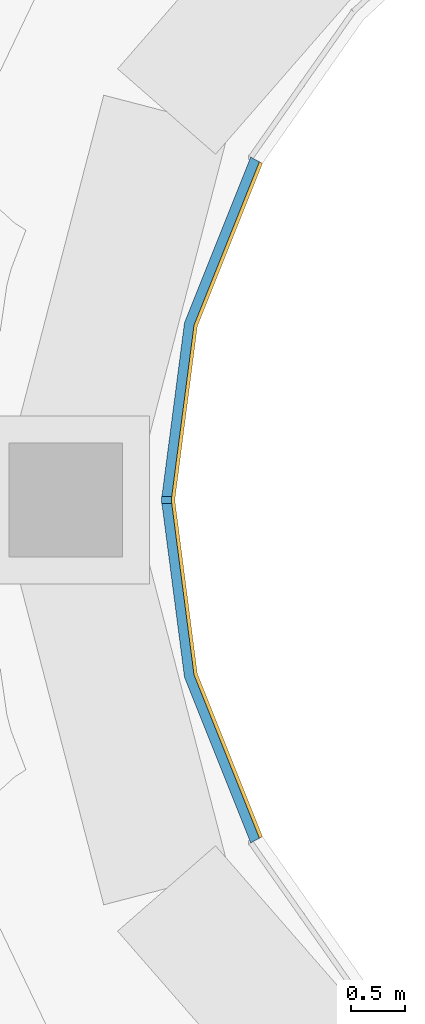
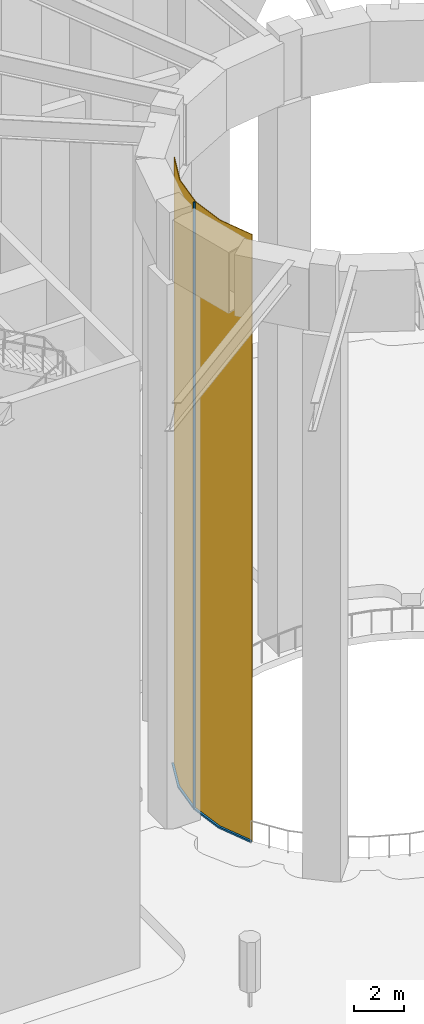
# One storey, part 9 of 26: 3 members, 1 curtain wall.
"""IFC4 building model written with IfcOpenShell, lengths in metres."""

from ifc_helpers import new_model, si_unit, direction, frame, origin, origin_2d, place, context, subcontext, project, spatial, polyline, rectangle, outline, extrude, material, layer, layer_set, material_profile, profile_set, type_object, element, aggregate, save


model = new_model("IFC4")

# Units and contexts
model_context = context("Model", 3, precision=1e-05, world=origin(), true_north=direction((0.0, 1.0)))
body_context = subcontext(model_context, "Body", "Model", "MODEL_VIEW")
ifc_project = project(units=[si_unit("LENGTHUNIT", "METRE"), si_unit("AREAUNIT", "SQUARE_METRE"), si_unit("VOLUMEUNIT", "CUBIC_METRE"), si_unit("PLANEANGLEUNIT", "RADIAN"), si_unit("MASSUNIT", "GRAM", prefix="KILO")], contexts=[model_context])

# Member
ifc_material_1 = material(Name="Steel S355 fire-resisting frame", Category="steel")
ifc_material_profile = material_profile(ifc_material_1, rectangle(XDim=0.090087890625, YDim=0.06005859375, at=origin_2d()), Name="90x60")
ifc_profile_set = profile_set([ifc_material_profile], Name="Steel S355 fire-resisting frame")
member_type_1 = type_object("IfcMemberType", Name="ENV-MULLION-W-90", PredefinedType="MULLION", material=ifc_profile_set)
site_placement = place(None, origin())
building_placement = place(site_placement, origin())
storey_placement = place(building_placement, frame((0.0, 0.0, 203.5)))
member_1_placement = place(storey_placement, frame((-9.076904296875, 0.0, 0.0), z_axis=(0.0, 0.0, 1.0), x_axis=(-1.0, 0.0, 0.0)))
member_1 = element("IfcMember", 1, at=member_1_placement, type_object=member_type_1, Name="Mullion W well vertex 17", PredefinedType="MULLION", context=body_context, shape_type="SweptSolid", body=[
    extrude(rectangle(XDim=0.090087890625, YDim=0.06005859375, at=origin_2d()), origin(), (0.0, 0.0, 1.0), 29.699951171875),
])

ifc_material_2 = material(Name="Steel S355 fire-resisting frame", Category="steel")
member_type_2 = type_object("IfcMemberType", Name="ENV-TRANSOM-W", PredefinedType="USERDEFINED", material=ifc_material_2)
member_2_placement = place(storey_placement, origin())
member_2 = element("IfcMember", 2, at=member_2_placement, type_object=member_type_2, Name="Transom W well 15-17", ObjectType="TRANSOM", PredefinedType="USERDEFINED", context=body_context, shape_type="SweptSolid", body=[
    extrude(outline(polyline([(-8.29833984375, 3.167236328125), (-8.910400390625, 1.63623046875), (-9.119384765625, 0.02783203125), (-9.02880859375, 0.02783203125), (-8.822509765625, 1.61328125), (-8.21875, 3.124267578125), (-8.29833984375, 3.167236328125)])), origin(), (0.0, 0.0, 1.0), 0.080078125),
])

member_3_placement = place(storey_placement, origin())
member_3 = element("IfcMember", 3, at=member_3_placement, type_object=member_type_2, Name="Transom W well 17-19", ObjectType="TRANSOM", PredefinedType="USERDEFINED", context=body_context, shape_type="SweptSolid", body=[
    extrude(outline(polyline([(-9.119384765625, -0.02783203125), (-8.910400390625, -1.63623046875), (-8.29833984375, -3.167236328125), (-8.21875, -3.124267578125), (-8.822509765625, -1.61328125), (-9.02880859375, -0.02783203125), (-9.119384765625, -0.02783203125)])), origin(), (0.0, 0.0, 1.0), 0.080078125),
])

# Site, building, storey
site = spatial("IfcSite", under=ifc_project, at=site_placement, CompositionType="ELEMENT")
building = spatial("IfcBuilding", under=site, at=building_placement, Name="Noorbagh Ring Tower", CompositionType="ELEMENT")
storey = spatial("IfcBuildingStorey", under=building, at=storey_placement, Name="L47", CompositionType="ELEMENT", Elevation=203.5)

# Curtain wall
ifc_material_3 = material(Name="Glass fire-resisting E60 laminated", Category="glass")
ifc_layer = layer(ifc_material_3, 0.031982421875)
ifc_layer_set = layer_set([ifc_layer], Name="Glass fire-resisting E60 laminated")
curtain_wall_type = type_object("IfcCurtainWallType", Name="ENV-CW-W", PredefinedType="NOTDEFINED", material=ifc_layer_set)
curtain_wall_placement = place(storey_placement, origin())
curtain_wall = element("IfcCurtainWall", 4, at=curtain_wall_placement, inside=storey, type_object=curtain_wall_type, Name="Curtain wall W W15", PredefinedType="NOTDEFINED", context=body_context, shape_type="SweptSolid", body=[
    extrude(outline(polyline([(-8.21875, 3.124267578125), (-8.822509765625, 1.61328125), (-9.0322265625, 0.0), (-8.822509765625, -1.61328125), (-8.21875, -3.124267578125), (-8.1904296875, -3.10888671875), (-8.79150390625, -1.605224609375), (-9.0, 0.0), (-8.79150390625, 1.605224609375), (-8.1904296875, 3.10888671875), (-8.21875, 3.124267578125)])), origin(), (0.0, 0.0, 1.0), 29.699951171875),
])

aggregate(curtain_wall, [member_1, member_2, member_3])

save(model, "model.ifc")
